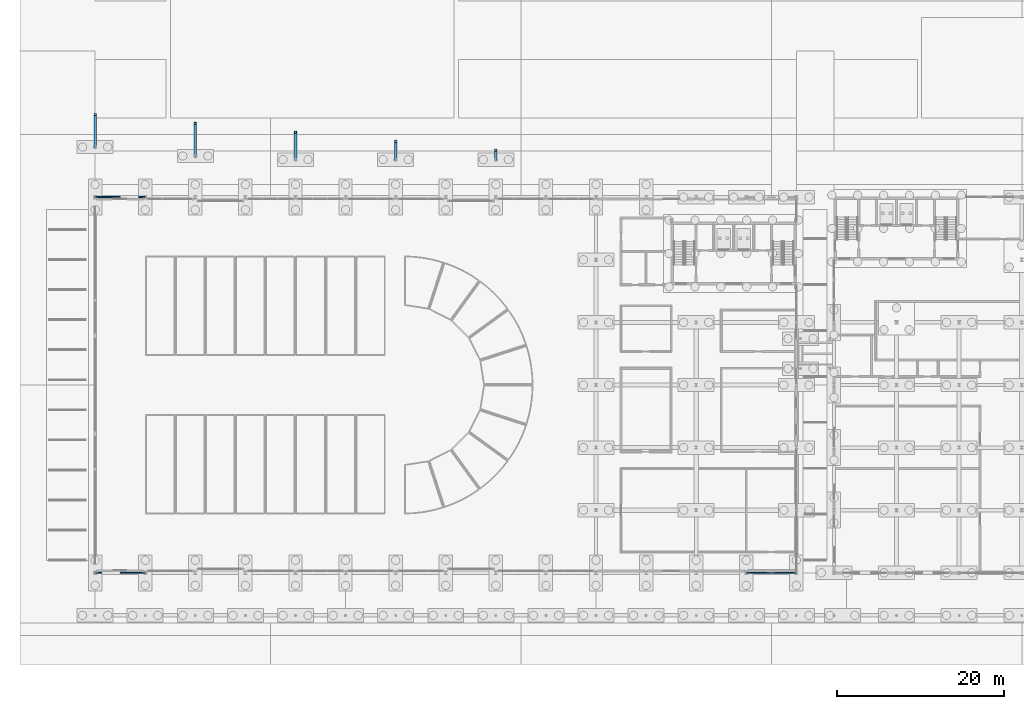
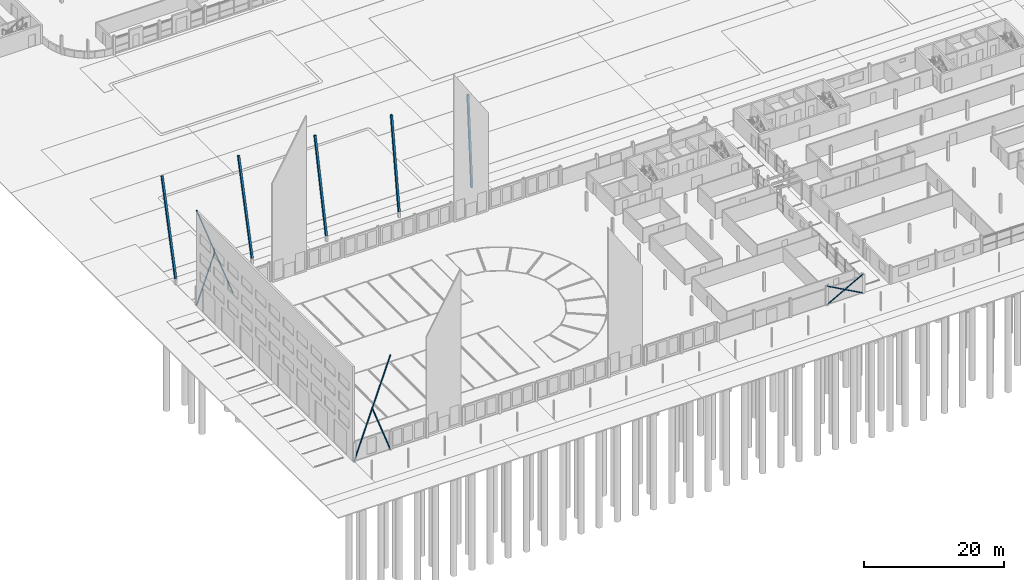
# One storey, part 44 of 130: 12 members.
"""IFC4 building model written with IfcOpenShell, lengths in metres."""

import ifcopenshell
import ifcopenshell.guid

model = None  # the IFC model being written
_history = None  # IfcOwnerHistory: only IFC2X3 demands one
_inside = {}  # id of a spatial element -> (the spatial element, [elements in it])
_under = {}  # id of a project, library or spatial element -> (it, [spatial elements below it])
_declared = {}  # id of a project -> (the project, [libraries it declares])
_typed = {}  # id of a type object -> (the type object, [elements of that type])
_made_of = {}  # id of a material, layer set ... -> (it, [elements and type objects made of it])


def new_model(schema):
    """Start an empty IFC model of exactly this schema.

    Asked for "IFC4X3", IfcOpenShell would pick the latest addendum, in which some entities
    have other attributes; the version numbers below select the first issue.
    IFC2X3 requires an IfcOwnerHistory on every rooted entity: one is made here for all.
    """
    global model, _history
    if schema == "IFC4X3":
        model = ifcopenshell.file(schema_version=(4, 3, 0, 0))
    else:
        model = ifcopenshell.file(schema=schema)
    _inside.clear()
    _under.clear()
    _declared.clear()
    _typed.clear()
    _made_of.clear()
    _history = None
    if model.schema == "IFC2X3":
        org = make("IfcOrganization", Name="unknown")
        user = make(
            "IfcPersonAndOrganization",
            ThePerson=make("IfcPerson", FamilyName="unknown"),
            TheOrganization=org,
        )
        app = make(
            "IfcApplication",
            ApplicationDeveloper=org,
            Version="unknown",
            ApplicationFullName="unknown",
            ApplicationIdentifier="unknown",
        )
        _history = make(
            "IfcOwnerHistory",
            OwningUser=user,
            OwningApplication=app,
            ChangeAction="ADDED",
            CreationDate=0,
        )
    return model


def make(cls, **values):
    """One entity of the class cls with the attributes given. An attribute that is None is left unset."""
    return model.create_entity(
        cls, **{name: value for name, value in values.items() if value is not None}
    )


def rooted(cls, **values):
    """An entity with a GlobalId (a new one), such as an element, a storey or a relation."""
    return make(cls, GlobalId=ifcopenshell.guid.new(), OwnerHistory=_history, **values)


def si_unit(unit_type, name, prefix=None):
    """IfcSIUnit, for example si_unit("LENGTHUNIT", "METRE", prefix="MILLI")."""
    return make("IfcSIUnit", UnitType=unit_type, Prefix=prefix, Name=name)


def assignment(units):
    """IfcUnitAssignment: the units of a project."""
    return None if units is None else make("IfcUnitAssignment", Units=units)


def point(xyz):
    """IfcCartesianPoint."""
    return None if xyz is None else make("IfcCartesianPoint", Coordinates=xyz)


def direction(xyz):
    """IfcDirection."""
    return None if xyz is None else make("IfcDirection", DirectionRatios=xyz)


def frame(location, z_axis=None, x_axis=None):
    """IfcAxis2Placement3D, a coordinate frame: its origin and axes. An axis left out is left unset."""
    return make(
        "IfcAxis2Placement3D",
        Location=point(location),
        Axis=direction(z_axis),
        RefDirection=direction(x_axis),
    )


def frame_2d(location, x_axis=None):
    """IfcAxis2Placement2D, a coordinate frame in the plane: its origin and x axis."""
    return make(
        "IfcAxis2Placement2D", Location=point(location), RefDirection=direction(x_axis)
    )


def origin():
    """The frame at (0, 0, 0) with its axes left unset."""
    return frame((0.0, 0.0, 0.0))


def origin_2d():
    """The frame at (0, 0) in the plane with its x axis left unset."""
    return frame_2d((0.0, 0.0))


def place(relative_to, where):
    """IfcLocalPlacement: puts the frame where relative to a parent placement (None: the world)."""
    return make(
        "IfcLocalPlacement", PlacementRelTo=relative_to, RelativePlacement=where
    )


def context(
    kind, dimensions, precision=None, world=None, true_north=None, identifier=None
):
    """IfcGeometricRepresentationContext, for example the 3D "Model" context."""
    return make(
        "IfcGeometricRepresentationContext",
        ContextIdentifier=identifier,
        ContextType=kind,
        CoordinateSpaceDimension=dimensions,
        Precision=precision,
        WorldCoordinateSystem=world,
        TrueNorth=true_north,
    )


def subcontext(parent, identifier, kind, view, scale=None):
    """IfcGeometricRepresentationSubContext, for example "Body" below "Model"."""
    return make(
        "IfcGeometricRepresentationSubContext",
        ContextIdentifier=identifier,
        ContextType=kind,
        ParentContext=parent,
        TargetScale=scale,
        TargetView=view,
    )


def project(units=None, contexts=None):
    """IfcProject with its units and contexts."""
    return rooted(
        "IfcProject",
        Name="project",
        RepresentationContexts=contexts,
        UnitsInContext=assignment(units),
    )


def spatial(cls, under=None, at=None, **own):
    """A site, building, storey or space (cls), placed at a placement, below another one or the project."""
    s = rooted(cls, ObjectPlacement=at, **own)
    if under is not None:
        _under.setdefault(under.id(), (under, []))[1].append(s)
    return s


def profile(cls, at=None, kind="AREA", **sizes):
    """A parametric profile (cls). Its sizes go by their IFC names, for example OverallWidth=200.0."""
    return make(cls, ProfileType=kind, Position=at, **sizes)


def hollow_rectangle(**sizes):
    """IfcRectangleHollowProfileDef."""
    return profile("IfcRectangleHollowProfileDef", **sizes)


def hollow_circle(**sizes):
    """IfcCircleHollowProfileDef."""
    return profile("IfcCircleHollowProfileDef", **sizes)


def extrude(swept, where, along, depth):
    """IfcExtrudedAreaSolid: the profile swept, set in the frame where, extruded along a direction by depth."""
    return make(
        "IfcExtrudedAreaSolid",
        SweptArea=swept,
        Position=where,
        ExtrudedDirection=direction(along),
        Depth=depth,
    )


def shape(context_of_items, identifier, shape_type, items):
    """IfcShapeRepresentation: the items that make up one representation, for example the "Body"."""
    return make(
        "IfcShapeRepresentation",
        ContextOfItems=context_of_items,
        RepresentationIdentifier=identifier,
        RepresentationType=shape_type,
        Items=items,
    )


def material(Name=None, Category=None):
    """IfcMaterial."""
    return make("IfcMaterial", Name=Name, Category=Category)


def material_profile(
    of_material, cross_section, Name=None, Category=None, Priority=None
):
    """IfcMaterialProfile: a cross section and its material."""
    return make(
        "IfcMaterialProfile",
        Name=Name,
        Material=of_material,
        Profile=cross_section,
        Priority=Priority,
        Category=Category,
    )


def profile_set(profiles, Name=None, composite=None):
    """IfcMaterialProfileSet."""
    return make(
        "IfcMaterialProfileSet",
        Name=Name,
        MaterialProfiles=profiles,
        CompositeProfile=composite,
    )


def made_of(thing, what):
    """Note that an element or type object is made of a material, layer set ...; save() writes the relation."""
    if what is not None:
        _made_of.setdefault(what.id(), (what, []))[1].append(thing)
    return thing


def type_object(cls, material=None, **own):
    """A type object (cls), such as IfcWallType, which elements share."""
    return made_of(rooted(cls, **own), material)


def element(
    cls,
    number,
    at=None,
    inside=None,
    cuts=None,
    type_object=None,
    material=None,
    context=None,
    identifier="Body",
    shape_type=None,
    held_by="IfcProductDefinitionShape",
    body=None,
    shapes=None,
    **own,
):
    """One element of the class cls, such as IfcWall. Its Tag is "e" and its number.

    at: its placement. inside: the storey or other place that contains it. cuts: it is an
    opening in that element (IfcRelVoidsElement). A single representation is given by context,
    identifier, shape_type and body (its items); several are given by shapes. held_by: the class
    of the entity that holds the representations. save() writes the other relations.
    """
    e = rooted(cls, Tag="e%d" % number, ObjectPlacement=at, **own)
    if body is not None:
        shapes = [shape(context, identifier, shape_type, body)]
    if shapes is not None:
        e.Representation = make(held_by, Representations=shapes)
    if inside is not None:
        _inside.setdefault(inside.id(), (inside, []))[1].append(e)
    if cuts is not None:
        rooted(
            "IfcRelVoidsElement", RelatingBuildingElement=cuts, RelatedOpeningElement=e
        )
    if type_object is not None:
        _typed.setdefault(type_object.id(), (type_object, []))[1].append(e)
    return made_of(e, material)


def aggregate(whole, parts):
    """IfcRelAggregates: a whole, such as a stair, and the parts it consists of."""
    return rooted("IfcRelAggregates", RelatingObject=whole, RelatedObjects=parts)


def save(model, path):
    """Write the relations noted so far, then the file.

    IfcRelAggregates (storeys below a building ...), IfcRelContainedInSpatialStructure (elements
    in a storey), IfcRelDefinesByType, IfcRelAssociatesMaterial and IfcRelDeclares: one each for
    every whole, place, type object, material and project.
    """
    for whole, parts in _under.values():
        aggregate(whole, parts)
    for where, things in _inside.values():
        rooted(
            "IfcRelContainedInSpatialStructure",
            RelatedElements=things,
            RelatingStructure=where,
        )
    for kind, things in _typed.values():
        rooted("IfcRelDefinesByType", RelatedObjects=things, RelatingType=kind)
    for what, things in _made_of.values():
        rooted("IfcRelAssociatesMaterial", RelatedObjects=things, RelatingMaterial=what)
    for by, libraries in _declared.values():
        rooted("IfcRelDeclares", RelatingContext=by, RelatedDefinitions=libraries)
    model.write(path)


model = new_model("IFC4")

# Units and contexts
model_context = context("Model", 3, precision=1e-05, world=origin(), true_north=direction((0.0, 1.0)))
body_context = subcontext(model_context, "Body", "Model", "MODEL_VIEW")
ifc_project = project(units=[si_unit("LENGTHUNIT", "METRE"), si_unit("AREAUNIT", "SQUARE_METRE"), si_unit("VOLUMEUNIT", "CUBIC_METRE"), si_unit("PLANEANGLEUNIT", "RADIAN"), si_unit("MASSUNIT", "GRAM", prefix="KILO")], contexts=[model_context])

# Site, building, storey
site_placement = place(None, origin())
site = spatial("IfcSite", under=ifc_project, at=site_placement, CompositionType="ELEMENT")
building_placement = place(site_placement, origin())
building = spatial("IfcBuilding", under=site, at=building_placement, Name="Parallax Yard Mobility Hub", CompositionType="ELEMENT")
storey_placement = place(building_placement, origin())
storey = spatial("IfcBuildingStorey", under=building, at=storey_placement, Name="L00", CompositionType="ELEMENT", Elevation=0.0)

# Members
ifc_material = material(Name="Steel ASTM A500 Gr C", Category="steel")
ifc_material_profile_1 = material_profile(ifc_material, hollow_rectangle(XDim=0.3046875, YDim=0.3046875, WallThickness=0.0126953125, at=origin_2d()), Name="HSS305x305x12.7")
ifc_profile_set_1 = profile_set([ifc_material_profile_1], Name="Steel ASTM A500 Gr C")
member_type_1 = type_object("IfcMemberType", Name="Prow strut HSS305x305x12.7", PredefinedType="BRACE", material=ifc_profile_set_1)
for number, where, z_axis, x_axis, name in (
    (1, (9.0, 58.5, 1.0), (0.0, 0.243262950332, 0.969960379085), (-1.0, 0.0, 0.0), "Prow strut F1"),
    (2, (21.0, 57.4287109375, 1.0), (0.0, 0.243262950332, 0.969960379085), (-1.0, 0.0, 0.0), "Prow strut F3"),
):
    element("IfcMember", number, at=place(storey_placement, frame(where, z_axis=z_axis, x_axis=x_axis)), inside=storey, type_object=member_type_1, Name=name, PredefinedType="BRACE", context=body_context, shape_type="SweptSolid", body=[
        extrude(hollow_rectangle(XDim=0.3046875, YDim=0.3046875, WallThickness=0.0126953125, at=origin_2d()), origin(), (0.0, 0.0, 1.0), 16.03173828125),
    ])
member_1_placement = place(storey_placement, frame((33.0, 57.0, 1.0), z_axis=(0.0, 0.205009001465, 0.978760087722), x_axis=(-1.0, 0.0, 0.0)))
element("IfcMember", 3, at=member_1_placement, inside=storey, type_object=member_type_1, Name="Prow strut F5", PredefinedType="BRACE", context=body_context, shape_type="SweptSolid", body=[
    extrude(hollow_rectangle(XDim=0.3046875, YDim=0.3046875, WallThickness=0.0126953125, at=origin_2d()), origin(), (0.0, 0.0, 1.0), 15.887451171875),
])
member_2_placement = place(storey_placement, frame((45.0, 57.0, 1.0), z_axis=(0.0, 0.139196467673, 0.990264784483), x_axis=(-1.0, 0.0, 0.0)))
element("IfcMember", 4, at=member_2_placement, inside=storey, type_object=member_type_1, Name="Prow strut F7", PredefinedType="BRACE", context=body_context, shape_type="SweptSolid", body=[
    extrude(hollow_rectangle(XDim=0.3046875, YDim=0.3046875, WallThickness=0.0126953125, at=origin_2d()), origin(), (0.0, 0.0, 1.0), 15.702880859375),
])
member_3_placement = place(storey_placement, frame((57.0, 57.0, 1.0), z_axis=(0.0, 0.071472967821, 0.997442537127), x_axis=(-1.0, 0.0, 0.0)))
element("IfcMember", 5, at=member_3_placement, inside=storey, type_object=member_type_1, Name="Prow strut F9", PredefinedType="BRACE", context=body_context, shape_type="SweptSolid", body=[
    extrude(hollow_rectangle(XDim=0.3046875, YDim=0.3046875, WallThickness=0.0126953125, at=origin_2d()), origin(), (0.0, 0.0, 1.0), 15.58984375),
])
ifc_material_profile_2 = material_profile(ifc_material, hollow_circle(Radius=0.0888671875, WallThickness=0.0078125, at=origin_2d()), Name="HSS177.8x7.9")
ifc_profile_set_2 = profile_set([ifc_material_profile_2], Name="Steel ASTM A500 Gr C")
member_type_2 = type_object("IfcMemberType", Name="Wall brace HSS177.8x7.9", PredefinedType="BRACE", material=ifc_profile_set_2)
member_4_placement = place(storey_placement, frame((87.0, 7.5, 0.0), z_axis=(0.876212897641, 0.0, 0.481924224341), x_axis=(0.0, 1.0, 0.0)))
element("IfcMember", 6, at=member_4_placement, inside=storey, type_object=member_type_2, Name="X brace east end bay south face level 0 1", PredefinedType="BRACE", context=body_context, shape_type="SweptSolid", body=[
    extrude(hollow_circle(Radius=0.0888671875, WallThickness=0.0078125, at=origin_2d()), origin(), (0.0, 0.0, 1.0), 6.84765625),
])
for number, where, z_axis, x_axis, name in (
    (7, (93.0, 7.5, 0.0), (-0.876220551786, 0.0, 0.481910307659), (0.0, -1.0, 0.0), "X brace east end bay south face level 0 2 (half 1)"),
    (8, (89.918212890625, 7.5, 1.695068359375), (-0.876220551786, 0.0, 0.481910307659), (0.0, -1.0, 0.0), "X brace east end bay south face level 0 2 (half 2)"),
):
    element("IfcMember", number, at=place(storey_placement, frame(where, z_axis=z_axis, x_axis=x_axis)), inside=storey, type_object=member_type_2, Name=name, PredefinedType="BRACE", context=body_context, shape_type="SweptSolid", body=[
        extrude(hollow_circle(Radius=0.0888671875, WallThickness=0.0078125, at=origin_2d()), origin(), (0.0, 0.0, 1.0), 3.33056640625),
    ])
ifc_material_profile_3 = material_profile(ifc_material, hollow_circle(Radius=0.109619140625, WallThickness=0.008056640625, at=origin_2d()), Name="HSS219.1x8.0")
ifc_profile_set_3 = profile_set([ifc_material_profile_3], Name="Steel ASTM A500 Gr C")
member_type_3 = type_object("IfcMemberType", Name="Wall brace HSS219.1x8.0", PredefinedType="BRACE", material=ifc_profile_set_3)
member_5_placement = place(storey_placement, frame((9.0, 7.5, 0.0), z_axis=(0.341743063087, 0.0, 0.939793423488), x_axis=(0.0, 1.0, 0.0)))
element("IfcMember", 9, at=member_5_placement, inside=storey, type_object=member_type_3, Name="X brace west end bay south face level 0 1", PredefinedType="BRACE", context=body_context, shape_type="SweptSolid", body=[
    extrude(hollow_circle(Radius=0.109619140625, WallThickness=0.008056640625, at=origin_2d()), origin(), (0.0, 0.0, 1.0), 17.55712890625),
])
member_6_placement = place(storey_placement, frame((15.0, 7.5, 0.0), z_axis=(-0.341745336253, 0.0, 0.939792596879), x_axis=(0.0, -1.0, 0.0)))
element("IfcMember", 10, at=member_6_placement, inside=storey, type_object=member_type_3, Name="X brace west end bay south face level 0 2 (half 1)", PredefinedType="BRACE", context=body_context, shape_type="SweptSolid", body=[
    extrude(hollow_circle(Radius=0.109619140625, WallThickness=0.008056640625, at=origin_2d()), origin(), (0.0, 0.0, 1.0), 8.62353515625),
])
member_7_placement = place(storey_placement, frame((15.0, 52.5, 0.0), z_axis=(-0.341743063087, 0.0, 0.939793423488), x_axis=(0.0, -1.0, 0.0)))
element("IfcMember", 11, at=member_7_placement, inside=storey, type_object=member_type_3, Name="X brace west end bay north face level 0 2", PredefinedType="BRACE", context=body_context, shape_type="SweptSolid", body=[
    extrude(hollow_circle(Radius=0.109619140625, WallThickness=0.008056640625, at=origin_2d()), origin(), (0.0, 0.0, 1.0), 17.55712890625),
])
member_8_placement = place(storey_placement, frame((9.0, 52.5, 0.0), z_axis=(0.341745336253, 0.0, 0.939792596879), x_axis=(0.0, 1.0, 0.0)))
element("IfcMember", 12, at=member_8_placement, inside=storey, type_object=member_type_3, Name="X brace west end bay north face level 0 1 (half 1)", PredefinedType="BRACE", context=body_context, shape_type="SweptSolid", body=[
    extrude(hollow_circle(Radius=0.109619140625, WallThickness=0.008056640625, at=origin_2d()), origin(), (0.0, 0.0, 1.0), 8.62353515625),
])

save(model, "model.ifc")
